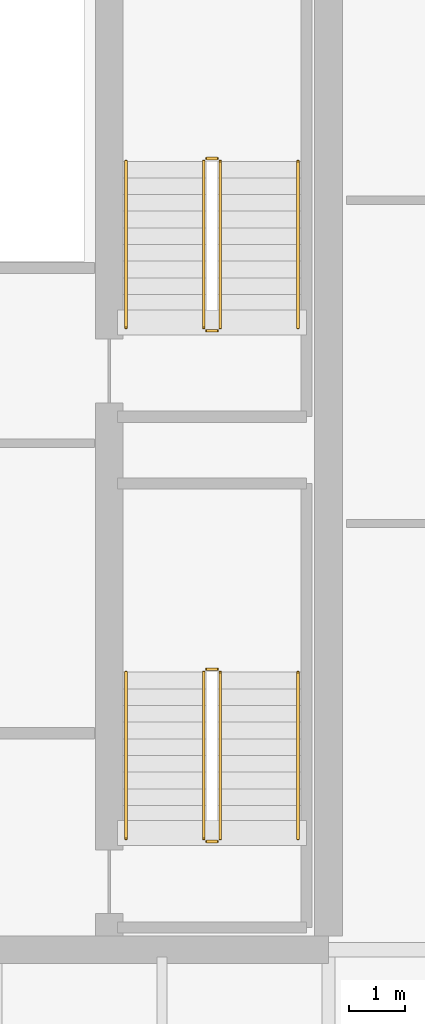
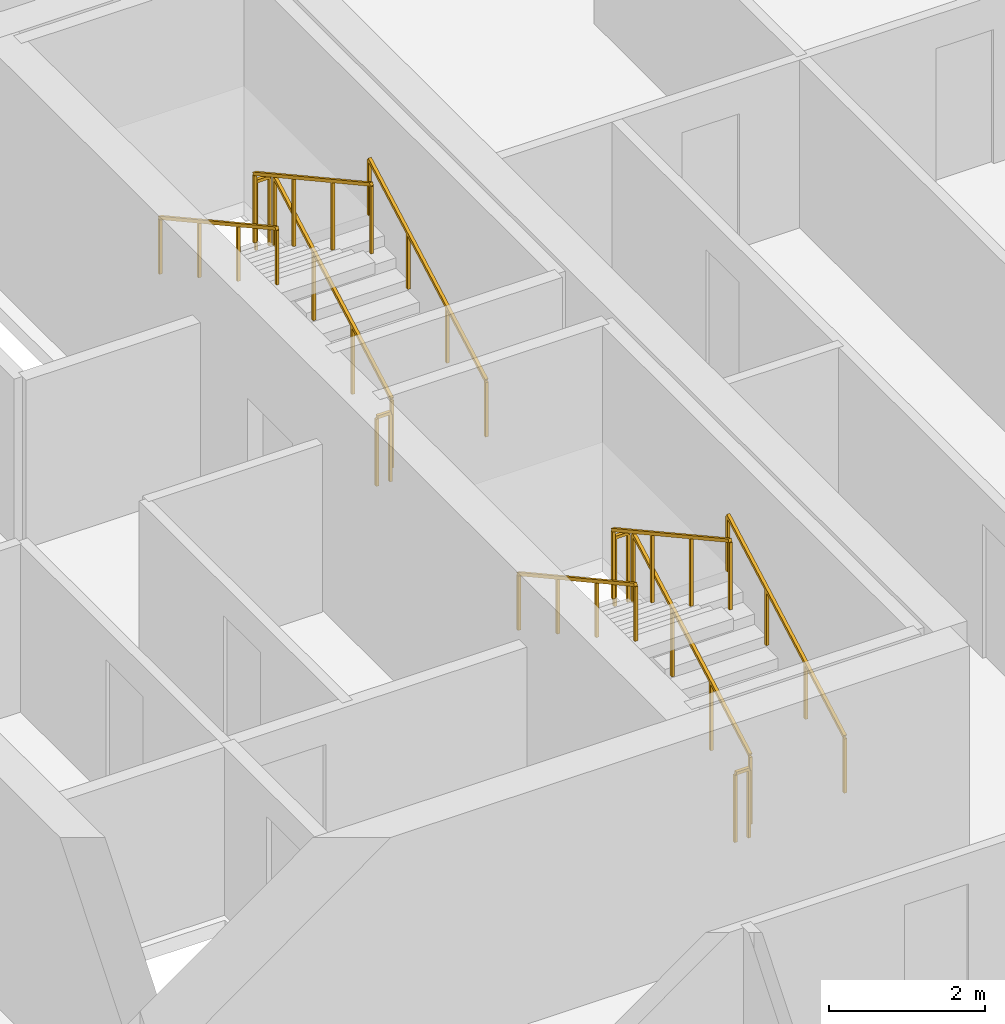
# One storey, part 38 of 39: 12 railings.
"""IFC4 building model written with IfcOpenShell, lengths in metres."""

from ifc_helpers import new_model, si_unit, direction, frame, origin, place, context, subcontext, project, spatial, rectangle, extrude, material, type_object, element, save


model = new_model("IFC4")

# Units and contexts
model_context = context("Model", 3, precision=1e-05, world=origin(), true_north=direction((0.0, 1.0)))
body_context = subcontext(model_context, "Body", "Model", "MODEL_VIEW")
ifc_project = project(units=[si_unit("LENGTHUNIT", "METRE"), si_unit("AREAUNIT", "SQUARE_METRE"), si_unit("VOLUMEUNIT", "CUBIC_METRE"), si_unit("PLANEANGLEUNIT", "RADIAN"), si_unit("MASSUNIT", "GRAM", prefix="KILO")], contexts=[model_context])

# Site, building, storey
site_placement = place(None, origin())
site = spatial("IfcSite", under=ifc_project, at=site_placement, CompositionType="ELEMENT")
building_placement = place(site_placement, origin())
building = spatial("IfcBuilding", under=site, at=building_placement, Name="Tanjung Sevakor Pilgrim Tower", CompositionType="ELEMENT")
storey_placement = place(building_placement, frame((0.0, 0.0, 112.199951171875)))
storey = spatial("IfcBuildingStorey", under=building, at=storey_placement, Name="L31", CompositionType="ELEMENT", Elevation=112.199951171875)

# Railings
ifc_material_1 = material(Name="Steel S355J2", Category="steel")
railing_type_1 = type_object("IfcRailingType", Name="RL-STAIR-GUARD", PredefinedType="GUARDRAIL", material=ifc_material_1)
railing_1_placement = place(storey_placement, frame((88.050048828125, 26.60009765625, 0.1650390625)))
element("IfcRailing", 1, at=railing_1_placement, inside=storey, type_object=railing_type_1, Name="L31 TS-E1 stair guard 1", PredefinedType="GUARDRAIL", context=body_context, shape_type="SweptSolid", body=[
    extrude(rectangle(XDim=0.0479, YDim=0.0479), frame((0.0, 0.0, 1.076171875), z_axis=(0.0, 0.876227952683, 0.48189685093), x_axis=(-1.0, 0.0, 0.0)), (0.0, 0.0, 1.0), 3.423828125),
    extrude(rectangle(XDim=0.042, YDim=0.042), origin(), (0.0, 0.0, 1.0), 1.052001953125),
    extrude(rectangle(XDim=0.042, YDim=0.042), frame((0.0, 1.0, 0.550048828125)), (0.0, 0.0, 1.0), 1.052001953125),
    extrude(rectangle(XDim=0.042, YDim=0.042), frame((0.0, 2.0, 1.099853515625)), (0.0, 0.0, 1.0), 1.052001953125),
    extrude(rectangle(XDim=0.042, YDim=0.042), frame((0.0, 3.0, 1.64990234375)), (0.0, 0.0, 1.0), 1.052001953125),
])
railing_2_placement = place(storey_placement, frame((88.0, 29.64990234375, 1.81494140625)))
element("IfcRailing", 2, at=railing_2_placement, inside=storey, type_object=railing_type_1, Name="L31 TS-E1 stair guard 2", PredefinedType="GUARDRAIL", context=body_context, shape_type="SweptSolid", body=[
    extrude(rectangle(XDim=0.0479, YDim=0.0479), frame((0.0, 0.0, 1.076171875), z_axis=(-1.0, 0.0, 0.0), x_axis=(0.0, -1.0, 0.0)), (0.0, 0.0, 1.0), 0.199951171875),
    extrude(rectangle(XDim=0.042, YDim=0.042), origin(), (0.0, 0.0, 1.0), 1.052001953125),
    extrude(rectangle(XDim=0.042, YDim=0.042), frame((-0.199951171875, 0.0, 0.0)), (0.0, 0.0, 1.0), 1.052001953125),
])
railing_3_placement = place(storey_placement, frame((87.75, 29.60009765625, 1.97998046875)))
element("IfcRailing", 3, at=railing_3_placement, inside=storey, type_object=railing_type_1, Name="L31 TS-E1 stair guard 3", PredefinedType="GUARDRAIL", context=body_context, shape_type="SweptSolid", body=[
    extrude(rectangle(XDim=0.0479, YDim=0.0479), frame((0.0, 0.0, 1.076171875), z_axis=(0.0, -0.876197842262, 0.481951596342), x_axis=(1.0, 0.0, 0.0)), (0.0, 0.0, 1.0), 3.423828125),
    extrude(rectangle(XDim=0.042, YDim=0.042), origin(), (0.0, 0.0, 1.0), 1.052001953125),
    extrude(rectangle(XDim=0.042, YDim=0.042), frame((0.0, -1.0, 0.550048828125)), (0.0, 0.0, 1.0), 1.052001953125),
    extrude(rectangle(XDim=0.042, YDim=0.042), frame((0.0, -2.0, 1.10009765625)), (0.0, 0.0, 1.0), 1.052001953125),
    extrude(rectangle(XDim=0.042, YDim=0.042), frame((0.0, -3.0, 1.650146484375)), (0.0, 0.0, 1.0), 1.052001953125),
])
railing_4_placement = place(storey_placement, frame((88.0, 26.550048828125, 0.0)))
element("IfcRailing", 4, at=railing_4_placement, inside=storey, type_object=railing_type_1, Name="L31 TS-E1 stair guard 4", PredefinedType="GUARDRAIL", context=body_context, shape_type="SweptSolid", body=[
    extrude(rectangle(XDim=0.0479, YDim=0.0479), frame((0.0, 0.0, 1.076171875), z_axis=(-1.0, 0.0, 0.0), x_axis=(0.0, -1.0, 0.0)), (0.0, 0.0, 1.0), 0.199951171875),
    extrude(rectangle(XDim=0.042, YDim=0.042), origin(), (0.0, 0.0, 1.0), 1.052001953125),
    extrude(rectangle(XDim=0.042, YDim=0.042), frame((-0.199951171875, 0.0, 0.0)), (0.0, 0.0, 1.0), 1.052001953125),
])
railing_5_placement = place(storey_placement, frame((88.050048828125, 35.800048828125, 0.1650390625)))
element("IfcRailing", 5, at=railing_5_placement, inside=storey, type_object=railing_type_1, Name="L31 TS-E2 stair guard 1", PredefinedType="GUARDRAIL", context=body_context, shape_type="SweptSolid", body=[
    extrude(rectangle(XDim=0.0479, YDim=0.0479), frame((0.0, 0.0, 1.076171875), z_axis=(0.0, 0.876227952683, 0.48189685093), x_axis=(-1.0, 0.0, 0.0)), (0.0, 0.0, 1.0), 3.423828125),
    extrude(rectangle(XDim=0.042, YDim=0.042), origin(), (0.0, 0.0, 1.0), 1.052001953125),
    extrude(rectangle(XDim=0.042, YDim=0.042), frame((0.0, 1.0, 0.550048828125)), (0.0, 0.0, 1.0), 1.052001953125),
    extrude(rectangle(XDim=0.042, YDim=0.042), frame((0.0, 2.0, 1.099853515625)), (0.0, 0.0, 1.0), 1.052001953125),
    extrude(rectangle(XDim=0.042, YDim=0.042), frame((0.0, 3.0, 1.64990234375)), (0.0, 0.0, 1.0), 1.052001953125),
])
railing_6_placement = place(storey_placement, frame((88.0, 38.85009765625, 1.81494140625)))
element("IfcRailing", 6, at=railing_6_placement, inside=storey, type_object=railing_type_1, Name="L31 TS-E2 stair guard 2", PredefinedType="GUARDRAIL", context=body_context, shape_type="SweptSolid", body=[
    extrude(rectangle(XDim=0.0479, YDim=0.0479), frame((0.0, 0.0, 1.076171875), z_axis=(-1.0, 0.0, 0.0), x_axis=(0.0, -1.0, 0.0)), (0.0, 0.0, 1.0), 0.199951171875),
    extrude(rectangle(XDim=0.042, YDim=0.042), origin(), (0.0, 0.0, 1.0), 1.052001953125),
    extrude(rectangle(XDim=0.042, YDim=0.042), frame((-0.199951171875, 0.0, 0.0)), (0.0, 0.0, 1.0), 1.052001953125),
])
railing_7_placement = place(storey_placement, frame((87.75, 38.800048828125, 1.97998046875)))
element("IfcRailing", 7, at=railing_7_placement, inside=storey, type_object=railing_type_1, Name="L31 TS-E2 stair guard 3", PredefinedType="GUARDRAIL", context=body_context, shape_type="SweptSolid", body=[
    extrude(rectangle(XDim=0.0479, YDim=0.0479), frame((0.0, 0.0, 1.076171875), z_axis=(0.0, -0.876197842262, 0.481951596342), x_axis=(1.0, 0.0, 0.0)), (0.0, 0.0, 1.0), 3.423828125),
    extrude(rectangle(XDim=0.042, YDim=0.042), origin(), (0.0, 0.0, 1.0), 1.052001953125),
    extrude(rectangle(XDim=0.042, YDim=0.042), frame((0.0, -1.0, 0.550048828125)), (0.0, 0.0, 1.0), 1.052001953125),
    extrude(rectangle(XDim=0.042, YDim=0.042), frame((0.0, -2.0, 1.10009765625)), (0.0, 0.0, 1.0), 1.052001953125),
    extrude(rectangle(XDim=0.042, YDim=0.042), frame((0.0, -3.0, 1.650146484375)), (0.0, 0.0, 1.0), 1.052001953125),
])
railing_8_placement = place(storey_placement, frame((88.0, 35.75, 0.0)))
element("IfcRailing", 8, at=railing_8_placement, inside=storey, type_object=railing_type_1, Name="L31 TS-E2 stair guard 4", PredefinedType="GUARDRAIL", context=body_context, shape_type="SweptSolid", body=[
    extrude(rectangle(XDim=0.0479, YDim=0.0479), frame((0.0, 0.0, 1.076171875), z_axis=(-1.0, 0.0, 0.0), x_axis=(0.0, -1.0, 0.0)), (0.0, 0.0, 1.0), 0.199951171875),
    extrude(rectangle(XDim=0.042, YDim=0.042), origin(), (0.0, 0.0, 1.0), 1.052001953125),
    extrude(rectangle(XDim=0.042, YDim=0.042), frame((-0.199951171875, 0.0, 0.0)), (0.0, 0.0, 1.0), 1.052001953125),
])
ifc_material_2 = material(Name="Steel S355J2", Category="steel")
railing_type_2 = type_object("IfcRailingType", Name="RL-STAIR-HAND", PredefinedType="HANDRAIL", material=ifc_material_2)
railing_9_placement = place(storey_placement, frame((89.449951171875, 26.60009765625, 0.1650390625)))
element("IfcRailing", 9, at=railing_9_placement, inside=storey, type_object=railing_type_2, Name="L31 TS-E1 stair handrail 1", PredefinedType="HANDRAIL", context=body_context, shape_type="SweptSolid", body=[
    extrude(rectangle(XDim=0.0479, YDim=0.0479), frame((0.0, 0.0, 0.8759765625), z_axis=(0.0, 0.876227952683, 0.48189685093), x_axis=(-1.0, 0.0, 0.0)), (0.0, 0.0, 1.0), 3.423828125),
    extrude(rectangle(XDim=0.042, YDim=0.042), origin(), (0.0, 0.0, 1.0), 0.851806640625),
    extrude(rectangle(XDim=0.042, YDim=0.042), frame((0.0, 1.0, 0.550048828125)), (0.0, 0.0, 1.0), 0.851806640625),
    extrude(rectangle(XDim=0.042, YDim=0.042), frame((0.0, 2.0, 1.099853515625)), (0.0, 0.0, 1.0), 0.851806640625),
    extrude(rectangle(XDim=0.042, YDim=0.042), frame((0.0, 3.0, 1.64990234375)), (0.0, 0.0, 1.0), 0.851806640625),
])
railing_10_placement = place(storey_placement, frame((86.35009765625, 29.60009765625, 1.97998046875)))
element("IfcRailing", 10, at=railing_10_placement, inside=storey, type_object=railing_type_2, Name="L31 TS-E1 stair handrail 2", PredefinedType="HANDRAIL", context=body_context, shape_type="SweptSolid", body=[
    extrude(rectangle(XDim=0.0479, YDim=0.0479), frame((0.0, 0.0, 0.8759765625), z_axis=(0.0, -0.876197842262, 0.481951596342), x_axis=(1.0, 0.0, 0.0)), (0.0, 0.0, 1.0), 3.423828125),
    extrude(rectangle(XDim=0.042, YDim=0.042), origin(), (0.0, 0.0, 1.0), 0.851806640625),
    extrude(rectangle(XDim=0.042, YDim=0.042), frame((0.0, -1.0, 0.550048828125)), (0.0, 0.0, 1.0), 0.851806640625),
    extrude(rectangle(XDim=0.042, YDim=0.042), frame((0.0, -2.0, 1.10009765625)), (0.0, 0.0, 1.0), 0.851806640625),
    extrude(rectangle(XDim=0.042, YDim=0.042), frame((0.0, -3.0, 1.650146484375)), (0.0, 0.0, 1.0), 0.851806640625),
])
railing_11_placement = place(storey_placement, frame((89.449951171875, 35.800048828125, 0.1650390625)))
element("IfcRailing", 11, at=railing_11_placement, inside=storey, type_object=railing_type_2, Name="L31 TS-E2 stair handrail 1", PredefinedType="HANDRAIL", context=body_context, shape_type="SweptSolid", body=[
    extrude(rectangle(XDim=0.0479, YDim=0.0479), frame((0.0, 0.0, 0.8759765625), z_axis=(0.0, 0.876227952683, 0.48189685093), x_axis=(-1.0, 0.0, 0.0)), (0.0, 0.0, 1.0), 3.423828125),
    extrude(rectangle(XDim=0.042, YDim=0.042), origin(), (0.0, 0.0, 1.0), 0.851806640625),
    extrude(rectangle(XDim=0.042, YDim=0.042), frame((0.0, 1.0, 0.550048828125)), (0.0, 0.0, 1.0), 0.851806640625),
    extrude(rectangle(XDim=0.042, YDim=0.042), frame((0.0, 2.0, 1.099853515625)), (0.0, 0.0, 1.0), 0.851806640625),
    extrude(rectangle(XDim=0.042, YDim=0.042), frame((0.0, 3.0, 1.64990234375)), (0.0, 0.0, 1.0), 0.851806640625),
])
railing_12_placement = place(storey_placement, frame((86.35009765625, 38.800048828125, 1.97998046875)))
element("IfcRailing", 12, at=railing_12_placement, inside=storey, type_object=railing_type_2, Name="L31 TS-E2 stair handrail 2", PredefinedType="HANDRAIL", context=body_context, shape_type="SweptSolid", body=[
    extrude(rectangle(XDim=0.0479, YDim=0.0479), frame((0.0, 0.0, 0.8759765625), z_axis=(0.0, -0.876197842262, 0.481951596342), x_axis=(1.0, 0.0, 0.0)), (0.0, 0.0, 1.0), 3.423828125),
    extrude(rectangle(XDim=0.042, YDim=0.042), origin(), (0.0, 0.0, 1.0), 0.851806640625),
    extrude(rectangle(XDim=0.042, YDim=0.042), frame((0.0, -1.0, 0.550048828125)), (0.0, 0.0, 1.0), 0.851806640625),
    extrude(rectangle(XDim=0.042, YDim=0.042), frame((0.0, -2.0, 1.10009765625)), (0.0, 0.0, 1.0), 0.851806640625),
    extrude(rectangle(XDim=0.042, YDim=0.042), frame((0.0, -3.0, 1.650146484375)), (0.0, 0.0, 1.0), 0.851806640625),
])

save(model, "model.ifc")
